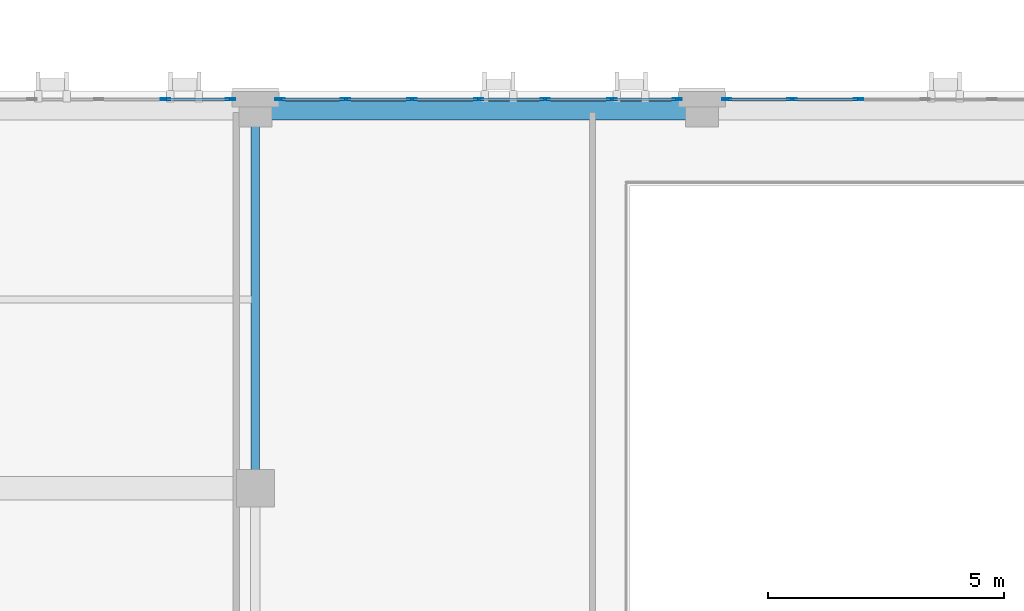
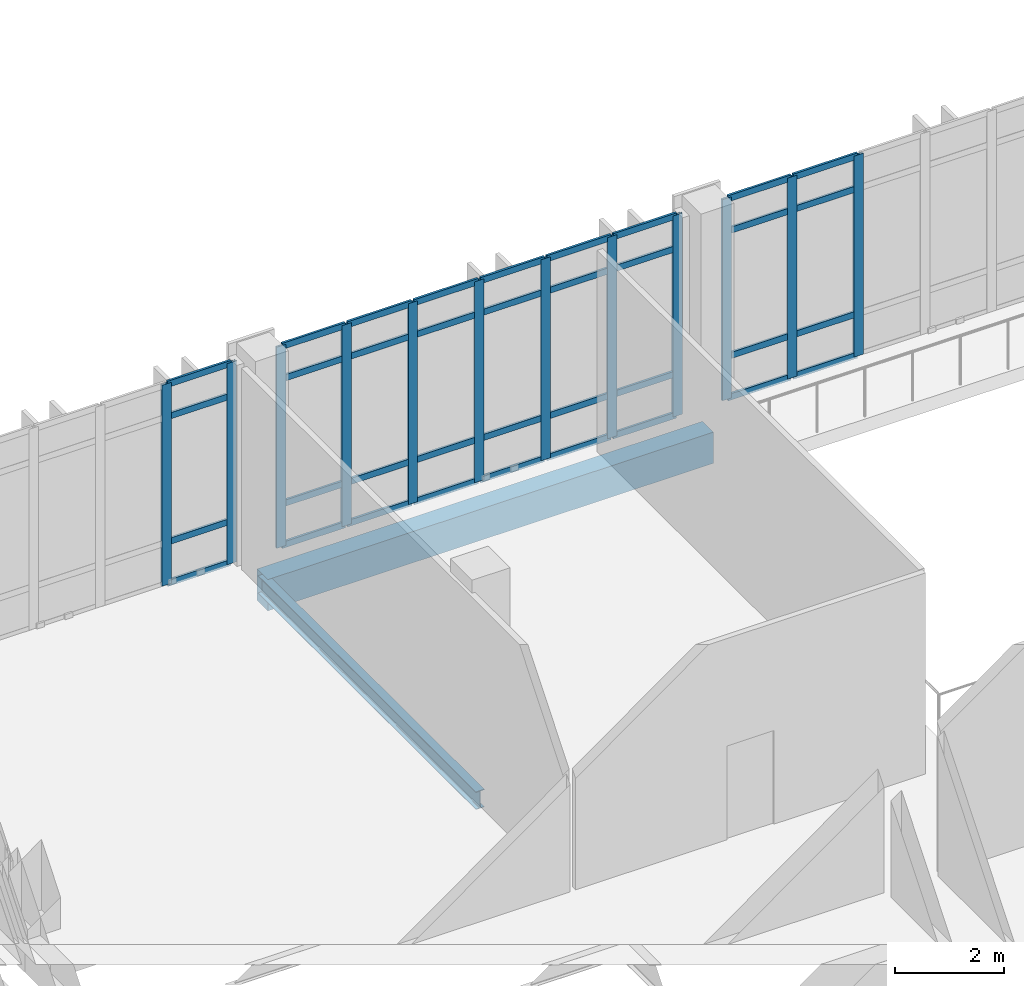
# One storey, part 14 of 189: 48 members, 2 beams, 3 elements without a shape of their own.
"""IFC4 building model written with IfcOpenShell, lengths in metres."""

from ifc_helpers import new_model, si_unit, direction, frame, origin, origin_2d, place, context, subcontext, project, spatial, rectangle, hollow_rectangle, i_section, extrude, material, layer, layer_set, material_profile, profile_set, type_object, element, aggregate, save


model = new_model("IFC4")

# Units and contexts
model_context = context("Model", 3, precision=1e-05, world=origin(), true_north=direction((0.0, 1.0)))
body_context = subcontext(model_context, "Body", "Model", "MODEL_VIEW")
ifc_project = project(units=[si_unit("LENGTHUNIT", "METRE"), si_unit("AREAUNIT", "SQUARE_METRE"), si_unit("VOLUMEUNIT", "CUBIC_METRE"), si_unit("PLANEANGLEUNIT", "RADIAN"), si_unit("MASSUNIT", "GRAM", prefix="KILO")], contexts=[model_context])

# Site, building, storey
site_placement = place(None, origin())
site = spatial("IfcSite", under=ifc_project, at=site_placement, CompositionType="ELEMENT")
building_placement = place(site_placement, origin())
building = spatial("IfcBuilding", under=site, at=building_placement, Name="Qalavern Law Courts", CompositionType="ELEMENT")
storey_placement = place(building_placement, frame((0.0, 0.0, 5.39990234375)))
storey = spatial("IfcBuildingStorey", under=building, at=storey_placement, Name="L01", CompositionType="ELEMENT", Elevation=5.39990234375)

# Curtain wall, members
ifc_material_1 = material(Name="Anodised aluminium and insulated glazing", Category="aluminium")
ifc_layer = layer(ifc_material_1, 0.18505859375)
ifc_layer_set = layer_set([ifc_layer], Name="Anodised aluminium and insulated glazing")
curtain_wall_type = type_object("IfcCurtainWallType", Name="ENV-CW-HALL", PredefinedType="USERDEFINED", material=ifc_layer_set)
curtain_wall_1_placement = place(storey_placement, origin())
curtain_wall_1 = element("IfcCurtainWall", 1, at=curtain_wall_1_placement, inside=storey, type_object=curtain_wall_type, Name="V2 unitised curtain wall L01 north 4", ObjectType="UNITISED CURTAIN WALL", PredefinedType="USERDEFINED")
ifc_material_2 = material(Name="Anodised aluminium", Category="aluminium")
ifc_material_profile_1 = material_profile(ifc_material_2, hollow_rectangle(XDim=0.048095703125, YDim=0.199951171875, WallThickness=0.00439453125, at=origin_2d()), Name="ALU MULLION 48x200")
ifc_profile_set_1 = profile_set([ifc_material_profile_1], Name="Anodised aluminium")
member_type_1 = type_object("IfcMemberType", Name="ENV-CWM-48x200", PredefinedType="MULLION", material=ifc_profile_set_1)
member_1_placement = place(storey_placement, frame((56.8466796875, 30.237548828125, 0.0), z_axis=(0.0, 0.0, 1.0), x_axis=(0.0, -1.0, 0.0)))
member_1 = element("IfcMember", 2, at=member_1_placement, type_object=member_type_1, Name="CW-02 mullion 5", PredefinedType="MULLION", context=body_context, shape_type="SweptSolid", body=[
    extrude(hollow_rectangle(XDim=0.048095703125, YDim=0.199951171875, WallThickness=0.00439453125, at=origin_2d()), origin(), (0.0, 0.0, 1.0), 4.510009765625),
])
member_2_placement = place(storey_placement, frame((55.437744140625, 30.237548828125, 0.0), z_axis=(0.0, 0.0, 1.0), x_axis=(0.0, -1.0, 0.0)))
member_2 = element("IfcMember", 3, at=member_2_placement, type_object=member_type_1, Name="CW-02 mullion 6", PredefinedType="MULLION", context=body_context, shape_type="SweptSolid", body=[
    extrude(hollow_rectangle(XDim=0.048095703125, YDim=0.199951171875, WallThickness=0.00439453125, at=origin_2d()), origin(), (0.0, 0.0, 1.0), 4.510009765625),
])
member_3_placement = place(storey_placement, frame((54.052490234375, 30.237548828125, 0.0), z_axis=(0.0, 0.0, 1.0), x_axis=(0.0, -1.0, 0.0)))
member_3 = element("IfcMember", 4, at=member_3_placement, type_object=member_type_1, Name="CW-02 mullion 7", PredefinedType="MULLION", context=body_context, shape_type="SweptSolid", body=[
    extrude(hollow_rectangle(XDim=0.048095703125, YDim=0.199951171875, WallThickness=0.00439453125, at=origin_2d()), origin(), (0.0, 0.0, 1.0), 4.510009765625),
])

curtain_wall_2_placement = place(storey_placement, origin())
curtain_wall_2 = element("IfcCurtainWall", 5, at=curtain_wall_2_placement, inside=storey, type_object=curtain_wall_type, Name="V2 unitised curtain wall L01 north 5", ObjectType="UNITISED CURTAIN WALL", PredefinedType="USERDEFINED")
member_4_placement = place(storey_placement, frame((53.004638671875, 30.237548828125, 0.0), z_axis=(0.0, 0.0, 1.0), x_axis=(0.0, -1.0, 0.0)))
member_4 = element("IfcMember", 6, at=member_4_placement, type_object=member_type_1, Name="CW-02 mullion 1", PredefinedType="MULLION", context=body_context, shape_type="SweptSolid", body=[
    extrude(hollow_rectangle(XDim=0.048095703125, YDim=0.199951171875, WallThickness=0.00439453125, at=origin_2d()), origin(), (0.0, 0.0, 1.0), 4.510009765625),
])
member_5_placement = place(storey_placement, frame((51.61962890625, 30.237548828125, 0.0), z_axis=(0.0, 0.0, 1.0), x_axis=(0.0, -1.0, 0.0)))
member_5 = element("IfcMember", 7, at=member_5_placement, type_object=member_type_1, Name="CW-02 mullion 2", PredefinedType="MULLION", context=body_context, shape_type="SweptSolid", body=[
    extrude(hollow_rectangle(XDim=0.048095703125, YDim=0.199951171875, WallThickness=0.00439453125, at=origin_2d()), origin(), (0.0, 0.0, 1.0), 4.510009765625),
])
member_6_placement = place(storey_placement, frame((50.21044921875, 30.237548828125, 0.0), z_axis=(0.0, 0.0, 1.0), x_axis=(0.0, -1.0, 0.0)))
member_6 = element("IfcMember", 8, at=member_6_placement, type_object=member_type_1, Name="CW-02 mullion 3", PredefinedType="MULLION", context=body_context, shape_type="SweptSolid", body=[
    extrude(hollow_rectangle(XDim=0.048095703125, YDim=0.199951171875, WallThickness=0.00439453125, at=origin_2d()), origin(), (0.0, 0.0, 1.0), 4.510009765625),
])
member_7_placement = place(storey_placement, frame((48.801513671875, 30.237548828125, 0.0), z_axis=(0.0, 0.0, 1.0), x_axis=(0.0, -1.0, 0.0)))
member_7 = element("IfcMember", 9, at=member_7_placement, type_object=member_type_1, Name="CW-02 mullion 4", PredefinedType="MULLION", context=body_context, shape_type="SweptSolid", body=[
    extrude(hollow_rectangle(XDim=0.048095703125, YDim=0.199951171875, WallThickness=0.00439453125, at=origin_2d()), origin(), (0.0, 0.0, 1.0), 4.510009765625),
])
member_8_placement = place(storey_placement, frame((47.392333984375, 30.237548828125, 0.0), z_axis=(0.0, 0.0, 1.0), x_axis=(0.0, -1.0, 0.0)))
member_8 = element("IfcMember", 10, at=member_8_placement, type_object=member_type_1, Name="CW-02 mullion 5", PredefinedType="MULLION", context=body_context, shape_type="SweptSolid", body=[
    extrude(hollow_rectangle(XDim=0.048095703125, YDim=0.199951171875, WallThickness=0.00439453125, at=origin_2d()), origin(), (0.0, 0.0, 1.0), 4.510009765625),
])
member_9_placement = place(storey_placement, frame((45.9833984375, 30.237548828125, 0.0), z_axis=(0.0, 0.0, 1.0), x_axis=(0.0, -1.0, 0.0)))
member_9 = element("IfcMember", 11, at=member_9_placement, type_object=member_type_1, Name="CW-02 mullion 6", PredefinedType="MULLION", context=body_context, shape_type="SweptSolid", body=[
    extrude(hollow_rectangle(XDim=0.048095703125, YDim=0.199951171875, WallThickness=0.00439453125, at=origin_2d()), origin(), (0.0, 0.0, 1.0), 4.510009765625),
])
member_10_placement = place(storey_placement, frame((44.598388671875, 30.237548828125, 0.0), z_axis=(0.0, 0.0, 1.0), x_axis=(0.0, -1.0, 0.0)))
member_10 = element("IfcMember", 12, at=member_10_placement, type_object=member_type_1, Name="CW-02 mullion 7", PredefinedType="MULLION", context=body_context, shape_type="SweptSolid", body=[
    extrude(hollow_rectangle(XDim=0.048095703125, YDim=0.199951171875, WallThickness=0.00439453125, at=origin_2d()), origin(), (0.0, 0.0, 1.0), 4.510009765625),
])

curtain_wall_3_placement = place(storey_placement, origin())
curtain_wall_3 = element("IfcCurtainWall", 13, at=curtain_wall_3_placement, inside=storey, type_object=curtain_wall_type, Name="V2 unitised curtain wall L01 north 6", ObjectType="UNITISED CURTAIN WALL", PredefinedType="USERDEFINED")
member_11_placement = place(storey_placement, frame((43.55029296875, 30.237548828125, 0.0), z_axis=(0.0, 0.0, 1.0), x_axis=(0.0, -1.0, 0.0)))
member_11 = element("IfcMember", 14, at=member_11_placement, type_object=member_type_1, Name="CW-02 mullion 1", PredefinedType="MULLION", context=body_context, shape_type="SweptSolid", body=[
    extrude(hollow_rectangle(XDim=0.048095703125, YDim=0.199951171875, WallThickness=0.00439453125, at=origin_2d()), origin(), (0.0, 0.0, 1.0), 4.510009765625),
])
member_12_placement = place(storey_placement, frame((42.165283203125, 30.237548828125, 0.0), z_axis=(0.0, 0.0, 1.0), x_axis=(0.0, -1.0, 0.0)))
member_12 = element("IfcMember", 15, at=member_12_placement, type_object=member_type_1, Name="CW-02 mullion 2", PredefinedType="MULLION", context=body_context, shape_type="SweptSolid", body=[
    extrude(hollow_rectangle(XDim=0.048095703125, YDim=0.199951171875, WallThickness=0.00439453125, at=origin_2d()), origin(), (0.0, 0.0, 1.0), 4.510009765625),
])

# Member
ifc_material_profile_2 = material_profile(ifc_material_2, hollow_rectangle(XDim=0.048095703125, YDim=0.139892578125, WallThickness=0.00390625, at=origin_2d()), Name="ALU TRANSOM 48x140")
ifc_profile_set_2 = profile_set([ifc_material_profile_2], Name="Anodised aluminium")
member_type_2 = type_object("IfcMemberType", Name="ENV-CWT-48x140", PredefinedType="USERDEFINED", material=ifc_profile_set_2)
member_13_placement = place(storey_placement, frame((56.82275390625, 30.237548828125, 0.024169921875), z_axis=(-1.0, 0.0, 0.0), x_axis=(0.0, -1.0, 0.0)))
member_13 = element("IfcMember", 16, at=member_13_placement, type_object=member_type_2, Name="CW-02 transom 5.1", ObjectType="TRANSOM", PredefinedType="USERDEFINED", context=body_context, shape_type="SweptSolid", body=[
    extrude(hollow_rectangle(XDim=0.048095703125, YDim=0.139892578125, WallThickness=0.00390625, at=origin_2d()), origin(), (0.0, 0.0, 1.0), 1.361083984375),
])

member_14_placement = place(storey_placement, frame((56.82275390625, 30.237548828125, 0.9501953125), z_axis=(-1.0, 0.0, 0.0), x_axis=(0.0, -1.0, 0.0)))
member_14 = element("IfcMember", 17, at=member_14_placement, type_object=member_type_2, Name="CW-02 transom 5.2", ObjectType="TRANSOM", PredefinedType="USERDEFINED", context=body_context, shape_type="SweptSolid", body=[
    extrude(hollow_rectangle(XDim=0.048095703125, YDim=0.139892578125, WallThickness=0.00390625, at=origin_2d()), origin(), (0.0, 0.0, 1.0), 1.361083984375),
])

member_15_placement = place(storey_placement, frame((56.82275390625, 30.237548828125, 3.760009765625), z_axis=(-1.0, 0.0, 0.0), x_axis=(0.0, -1.0, 0.0)))
member_15 = element("IfcMember", 18, at=member_15_placement, type_object=member_type_2, Name="CW-02 transom 5.3", ObjectType="TRANSOM", PredefinedType="USERDEFINED", context=body_context, shape_type="SweptSolid", body=[
    extrude(hollow_rectangle(XDim=0.048095703125, YDim=0.139892578125, WallThickness=0.00390625, at=origin_2d()), origin(), (0.0, 0.0, 1.0), 1.361083984375),
])

member_16_placement = place(storey_placement, frame((56.82275390625, 30.237548828125, 4.486083984375), z_axis=(-1.0, 0.0, 0.0), x_axis=(0.0, -1.0, 0.0)))
member_16 = element("IfcMember", 19, at=member_16_placement, type_object=member_type_2, Name="CW-02 transom 5.4", ObjectType="TRANSOM", PredefinedType="USERDEFINED", context=body_context, shape_type="SweptSolid", body=[
    extrude(hollow_rectangle(XDim=0.048095703125, YDim=0.139892578125, WallThickness=0.00390625, at=origin_2d()), origin(), (0.0, 0.0, 1.0), 1.361083984375),
])

member_17_placement = place(storey_placement, frame((55.41357421875, 30.237548828125, 0.024169921875), z_axis=(-1.0, 0.0, 0.0), x_axis=(0.0, -1.0, 0.0)))
member_17 = element("IfcMember", 20, at=member_17_placement, type_object=member_type_2, Name="CW-02 transom 6.1", ObjectType="TRANSOM", PredefinedType="USERDEFINED", context=body_context, shape_type="SweptSolid", body=[
    extrude(hollow_rectangle(XDim=0.048095703125, YDim=0.139892578125, WallThickness=0.00390625, at=origin_2d()), origin(), (0.0, 0.0, 1.0), 1.3369140625),
])

member_18_placement = place(storey_placement, frame((55.41357421875, 30.237548828125, 0.9501953125), z_axis=(-1.0, 0.0, 0.0), x_axis=(0.0, -1.0, 0.0)))
member_18 = element("IfcMember", 21, at=member_18_placement, type_object=member_type_2, Name="CW-02 transom 6.2", ObjectType="TRANSOM", PredefinedType="USERDEFINED", context=body_context, shape_type="SweptSolid", body=[
    extrude(hollow_rectangle(XDim=0.048095703125, YDim=0.139892578125, WallThickness=0.00390625, at=origin_2d()), origin(), (0.0, 0.0, 1.0), 1.3369140625),
])

member_19_placement = place(storey_placement, frame((55.41357421875, 30.237548828125, 3.760009765625), z_axis=(-1.0, 0.0, 0.0), x_axis=(0.0, -1.0, 0.0)))
member_19 = element("IfcMember", 22, at=member_19_placement, type_object=member_type_2, Name="CW-02 transom 6.3", ObjectType="TRANSOM", PredefinedType="USERDEFINED", context=body_context, shape_type="SweptSolid", body=[
    extrude(hollow_rectangle(XDim=0.048095703125, YDim=0.139892578125, WallThickness=0.00390625, at=origin_2d()), origin(), (0.0, 0.0, 1.0), 1.3369140625),
])

member_20_placement = place(storey_placement, frame((55.41357421875, 30.237548828125, 4.486083984375), z_axis=(-1.0, 0.0, 0.0), x_axis=(0.0, -1.0, 0.0)))
member_20 = element("IfcMember", 23, at=member_20_placement, type_object=member_type_2, Name="CW-02 transom 6.4", ObjectType="TRANSOM", PredefinedType="USERDEFINED", context=body_context, shape_type="SweptSolid", body=[
    extrude(hollow_rectangle(XDim=0.048095703125, YDim=0.139892578125, WallThickness=0.00390625, at=origin_2d()), origin(), (0.0, 0.0, 1.0), 1.3369140625),
])

aggregate(curtain_wall_1, [member_1, member_2, member_3, member_13, member_14, member_15, member_16, member_17, member_18, member_19, member_20])

member_21_placement = place(storey_placement, frame((52.980712890625, 30.237548828125, 0.024169921875), z_axis=(-1.0, 0.0, 0.0), x_axis=(0.0, -1.0, 0.0)))
member_21 = element("IfcMember", 24, at=member_21_placement, type_object=member_type_2, Name="CW-02 transom 1.1", ObjectType="TRANSOM", PredefinedType="USERDEFINED", context=body_context, shape_type="SweptSolid", body=[
    extrude(hollow_rectangle(XDim=0.048095703125, YDim=0.139892578125, WallThickness=0.00390625, at=origin_2d()), origin(), (0.0, 0.0, 1.0), 1.337158203125),
])

member_22_placement = place(storey_placement, frame((52.980712890625, 30.237548828125, 0.9501953125), z_axis=(-1.0, 0.0, 0.0), x_axis=(0.0, -1.0, 0.0)))
member_22 = element("IfcMember", 25, at=member_22_placement, type_object=member_type_2, Name="CW-02 transom 1.2", ObjectType="TRANSOM", PredefinedType="USERDEFINED", context=body_context, shape_type="SweptSolid", body=[
    extrude(hollow_rectangle(XDim=0.048095703125, YDim=0.139892578125, WallThickness=0.00390625, at=origin_2d()), origin(), (0.0, 0.0, 1.0), 1.337158203125),
])

member_23_placement = place(storey_placement, frame((52.980712890625, 30.237548828125, 3.760009765625), z_axis=(-1.0, 0.0, 0.0), x_axis=(0.0, -1.0, 0.0)))
member_23 = element("IfcMember", 26, at=member_23_placement, type_object=member_type_2, Name="CW-02 transom 1.3", ObjectType="TRANSOM", PredefinedType="USERDEFINED", context=body_context, shape_type="SweptSolid", body=[
    extrude(hollow_rectangle(XDim=0.048095703125, YDim=0.139892578125, WallThickness=0.00390625, at=origin_2d()), origin(), (0.0, 0.0, 1.0), 1.337158203125),
])

member_24_placement = place(storey_placement, frame((52.980712890625, 30.237548828125, 4.486083984375), z_axis=(-1.0, 0.0, 0.0), x_axis=(0.0, -1.0, 0.0)))
member_24 = element("IfcMember", 27, at=member_24_placement, type_object=member_type_2, Name="CW-02 transom 1.4", ObjectType="TRANSOM", PredefinedType="USERDEFINED", context=body_context, shape_type="SweptSolid", body=[
    extrude(hollow_rectangle(XDim=0.048095703125, YDim=0.139892578125, WallThickness=0.00390625, at=origin_2d()), origin(), (0.0, 0.0, 1.0), 1.337158203125),
])

member_25_placement = place(storey_placement, frame((51.595458984375, 30.237548828125, 0.024169921875), z_axis=(-1.0, 0.0, 0.0), x_axis=(0.0, -1.0, 0.0)))
member_25 = element("IfcMember", 28, at=member_25_placement, type_object=member_type_2, Name="CW-02 transom 2.1", ObjectType="TRANSOM", PredefinedType="USERDEFINED", context=body_context, shape_type="SweptSolid", body=[
    extrude(hollow_rectangle(XDim=0.048095703125, YDim=0.139892578125, WallThickness=0.00390625, at=origin_2d()), origin(), (0.0, 0.0, 1.0), 1.36083984375),
])

member_26_placement = place(storey_placement, frame((51.595458984375, 30.237548828125, 0.9501953125), z_axis=(-1.0, 0.0, 0.0), x_axis=(0.0, -1.0, 0.0)))
member_26 = element("IfcMember", 29, at=member_26_placement, type_object=member_type_2, Name="CW-02 transom 2.2", ObjectType="TRANSOM", PredefinedType="USERDEFINED", context=body_context, shape_type="SweptSolid", body=[
    extrude(hollow_rectangle(XDim=0.048095703125, YDim=0.139892578125, WallThickness=0.00390625, at=origin_2d()), origin(), (0.0, 0.0, 1.0), 1.36083984375),
])

member_27_placement = place(storey_placement, frame((51.595458984375, 30.237548828125, 3.760009765625), z_axis=(-1.0, 0.0, 0.0), x_axis=(0.0, -1.0, 0.0)))
member_27 = element("IfcMember", 30, at=member_27_placement, type_object=member_type_2, Name="CW-02 transom 2.3", ObjectType="TRANSOM", PredefinedType="USERDEFINED", context=body_context, shape_type="SweptSolid", body=[
    extrude(hollow_rectangle(XDim=0.048095703125, YDim=0.139892578125, WallThickness=0.00390625, at=origin_2d()), origin(), (0.0, 0.0, 1.0), 1.36083984375),
])

member_28_placement = place(storey_placement, frame((51.595458984375, 30.237548828125, 4.486083984375), z_axis=(-1.0, 0.0, 0.0), x_axis=(0.0, -1.0, 0.0)))
member_28 = element("IfcMember", 31, at=member_28_placement, type_object=member_type_2, Name="CW-02 transom 2.4", ObjectType="TRANSOM", PredefinedType="USERDEFINED", context=body_context, shape_type="SweptSolid", body=[
    extrude(hollow_rectangle(XDim=0.048095703125, YDim=0.139892578125, WallThickness=0.00390625, at=origin_2d()), origin(), (0.0, 0.0, 1.0), 1.36083984375),
])

member_29_placement = place(storey_placement, frame((50.1865234375, 30.237548828125, 0.024169921875), z_axis=(-1.0, 0.0, 0.0), x_axis=(0.0, -1.0, 0.0)))
member_29 = element("IfcMember", 32, at=member_29_placement, type_object=member_type_2, Name="CW-02 transom 3.1", ObjectType="TRANSOM", PredefinedType="USERDEFINED", context=body_context, shape_type="SweptSolid", body=[
    extrude(hollow_rectangle(XDim=0.048095703125, YDim=0.139892578125, WallThickness=0.00390625, at=origin_2d()), origin(), (0.0, 0.0, 1.0), 1.361083984375),
])

member_30_placement = place(storey_placement, frame((50.1865234375, 30.237548828125, 0.9501953125), z_axis=(-1.0, 0.0, 0.0), x_axis=(0.0, -1.0, 0.0)))
member_30 = element("IfcMember", 33, at=member_30_placement, type_object=member_type_2, Name="CW-02 transom 3.2", ObjectType="TRANSOM", PredefinedType="USERDEFINED", context=body_context, shape_type="SweptSolid", body=[
    extrude(hollow_rectangle(XDim=0.048095703125, YDim=0.139892578125, WallThickness=0.00390625, at=origin_2d()), origin(), (0.0, 0.0, 1.0), 1.361083984375),
])

member_31_placement = place(storey_placement, frame((50.1865234375, 30.237548828125, 3.760009765625), z_axis=(-1.0, 0.0, 0.0), x_axis=(0.0, -1.0, 0.0)))
member_31 = element("IfcMember", 34, at=member_31_placement, type_object=member_type_2, Name="CW-02 transom 3.3", ObjectType="TRANSOM", PredefinedType="USERDEFINED", context=body_context, shape_type="SweptSolid", body=[
    extrude(hollow_rectangle(XDim=0.048095703125, YDim=0.139892578125, WallThickness=0.00390625, at=origin_2d()), origin(), (0.0, 0.0, 1.0), 1.361083984375),
])

member_32_placement = place(storey_placement, frame((50.1865234375, 30.237548828125, 4.486083984375), z_axis=(-1.0, 0.0, 0.0), x_axis=(0.0, -1.0, 0.0)))
member_32 = element("IfcMember", 35, at=member_32_placement, type_object=member_type_2, Name="CW-02 transom 3.4", ObjectType="TRANSOM", PredefinedType="USERDEFINED", context=body_context, shape_type="SweptSolid", body=[
    extrude(hollow_rectangle(XDim=0.048095703125, YDim=0.139892578125, WallThickness=0.00390625, at=origin_2d()), origin(), (0.0, 0.0, 1.0), 1.361083984375),
])

member_33_placement = place(storey_placement, frame((48.77734375, 30.237548828125, 0.024169921875), z_axis=(-1.0, 0.0, 0.0), x_axis=(0.0, -1.0, 0.0)))
member_33 = element("IfcMember", 36, at=member_33_placement, type_object=member_type_2, Name="CW-02 transom 4.1", ObjectType="TRANSOM", PredefinedType="USERDEFINED", context=body_context, shape_type="SweptSolid", body=[
    extrude(hollow_rectangle(XDim=0.048095703125, YDim=0.139892578125, WallThickness=0.00390625, at=origin_2d()), origin(), (0.0, 0.0, 1.0), 1.36083984375),
])

member_34_placement = place(storey_placement, frame((48.77734375, 30.237548828125, 0.9501953125), z_axis=(-1.0, 0.0, 0.0), x_axis=(0.0, -1.0, 0.0)))
member_34 = element("IfcMember", 37, at=member_34_placement, type_object=member_type_2, Name="CW-02 transom 4.2", ObjectType="TRANSOM", PredefinedType="USERDEFINED", context=body_context, shape_type="SweptSolid", body=[
    extrude(hollow_rectangle(XDim=0.048095703125, YDim=0.139892578125, WallThickness=0.00390625, at=origin_2d()), origin(), (0.0, 0.0, 1.0), 1.36083984375),
])

member_35_placement = place(storey_placement, frame((48.77734375, 30.237548828125, 3.760009765625), z_axis=(-1.0, 0.0, 0.0), x_axis=(0.0, -1.0, 0.0)))
member_35 = element("IfcMember", 38, at=member_35_placement, type_object=member_type_2, Name="CW-02 transom 4.3", ObjectType="TRANSOM", PredefinedType="USERDEFINED", context=body_context, shape_type="SweptSolid", body=[
    extrude(hollow_rectangle(XDim=0.048095703125, YDim=0.139892578125, WallThickness=0.00390625, at=origin_2d()), origin(), (0.0, 0.0, 1.0), 1.36083984375),
])

member_36_placement = place(storey_placement, frame((48.77734375, 30.237548828125, 4.486083984375), z_axis=(-1.0, 0.0, 0.0), x_axis=(0.0, -1.0, 0.0)))
member_36 = element("IfcMember", 39, at=member_36_placement, type_object=member_type_2, Name="CW-02 transom 4.4", ObjectType="TRANSOM", PredefinedType="USERDEFINED", context=body_context, shape_type="SweptSolid", body=[
    extrude(hollow_rectangle(XDim=0.048095703125, YDim=0.139892578125, WallThickness=0.00390625, at=origin_2d()), origin(), (0.0, 0.0, 1.0), 1.36083984375),
])

member_37_placement = place(storey_placement, frame((47.368408203125, 30.237548828125, 0.024169921875), z_axis=(-1.0, 0.0, 0.0), x_axis=(0.0, -1.0, 0.0)))
member_37 = element("IfcMember", 40, at=member_37_placement, type_object=member_type_2, Name="CW-02 transom 5.1", ObjectType="TRANSOM", PredefinedType="USERDEFINED", context=body_context, shape_type="SweptSolid", body=[
    extrude(hollow_rectangle(XDim=0.048095703125, YDim=0.139892578125, WallThickness=0.00390625, at=origin_2d()), origin(), (0.0, 0.0, 1.0), 1.361083984375),
])

member_38_placement = place(storey_placement, frame((47.368408203125, 30.237548828125, 0.9501953125), z_axis=(-1.0, 0.0, 0.0), x_axis=(0.0, -1.0, 0.0)))
member_38 = element("IfcMember", 41, at=member_38_placement, type_object=member_type_2, Name="CW-02 transom 5.2", ObjectType="TRANSOM", PredefinedType="USERDEFINED", context=body_context, shape_type="SweptSolid", body=[
    extrude(hollow_rectangle(XDim=0.048095703125, YDim=0.139892578125, WallThickness=0.00390625, at=origin_2d()), origin(), (0.0, 0.0, 1.0), 1.361083984375),
])

member_39_placement = place(storey_placement, frame((47.368408203125, 30.237548828125, 3.760009765625), z_axis=(-1.0, 0.0, 0.0), x_axis=(0.0, -1.0, 0.0)))
member_39 = element("IfcMember", 42, at=member_39_placement, type_object=member_type_2, Name="CW-02 transom 5.3", ObjectType="TRANSOM", PredefinedType="USERDEFINED", context=body_context, shape_type="SweptSolid", body=[
    extrude(hollow_rectangle(XDim=0.048095703125, YDim=0.139892578125, WallThickness=0.00390625, at=origin_2d()), origin(), (0.0, 0.0, 1.0), 1.361083984375),
])

member_40_placement = place(storey_placement, frame((47.368408203125, 30.237548828125, 4.486083984375), z_axis=(-1.0, 0.0, 0.0), x_axis=(0.0, -1.0, 0.0)))
member_40 = element("IfcMember", 43, at=member_40_placement, type_object=member_type_2, Name="CW-02 transom 5.4", ObjectType="TRANSOM", PredefinedType="USERDEFINED", context=body_context, shape_type="SweptSolid", body=[
    extrude(hollow_rectangle(XDim=0.048095703125, YDim=0.139892578125, WallThickness=0.00390625, at=origin_2d()), origin(), (0.0, 0.0, 1.0), 1.361083984375),
])

member_41_placement = place(storey_placement, frame((45.959228515625, 30.237548828125, 0.024169921875), z_axis=(-1.0, 0.0, 0.0), x_axis=(0.0, -1.0, 0.0)))
member_41 = element("IfcMember", 44, at=member_41_placement, type_object=member_type_2, Name="CW-02 transom 6.1", ObjectType="TRANSOM", PredefinedType="USERDEFINED", context=body_context, shape_type="SweptSolid", body=[
    extrude(hollow_rectangle(XDim=0.048095703125, YDim=0.139892578125, WallThickness=0.00390625, at=origin_2d()), origin(), (0.0, 0.0, 1.0), 1.3369140625),
])

member_42_placement = place(storey_placement, frame((45.959228515625, 30.237548828125, 0.9501953125), z_axis=(-1.0, 0.0, 0.0), x_axis=(0.0, -1.0, 0.0)))
member_42 = element("IfcMember", 45, at=member_42_placement, type_object=member_type_2, Name="CW-02 transom 6.2", ObjectType="TRANSOM", PredefinedType="USERDEFINED", context=body_context, shape_type="SweptSolid", body=[
    extrude(hollow_rectangle(XDim=0.048095703125, YDim=0.139892578125, WallThickness=0.00390625, at=origin_2d()), origin(), (0.0, 0.0, 1.0), 1.3369140625),
])

member_43_placement = place(storey_placement, frame((45.959228515625, 30.237548828125, 3.760009765625), z_axis=(-1.0, 0.0, 0.0), x_axis=(0.0, -1.0, 0.0)))
member_43 = element("IfcMember", 46, at=member_43_placement, type_object=member_type_2, Name="CW-02 transom 6.3", ObjectType="TRANSOM", PredefinedType="USERDEFINED", context=body_context, shape_type="SweptSolid", body=[
    extrude(hollow_rectangle(XDim=0.048095703125, YDim=0.139892578125, WallThickness=0.00390625, at=origin_2d()), origin(), (0.0, 0.0, 1.0), 1.3369140625),
])

member_44_placement = place(storey_placement, frame((45.959228515625, 30.237548828125, 4.486083984375), z_axis=(-1.0, 0.0, 0.0), x_axis=(0.0, -1.0, 0.0)))
member_44 = element("IfcMember", 47, at=member_44_placement, type_object=member_type_2, Name="CW-02 transom 6.4", ObjectType="TRANSOM", PredefinedType="USERDEFINED", context=body_context, shape_type="SweptSolid", body=[
    extrude(hollow_rectangle(XDim=0.048095703125, YDim=0.139892578125, WallThickness=0.00390625, at=origin_2d()), origin(), (0.0, 0.0, 1.0), 1.3369140625),
])

aggregate(curtain_wall_2, [member_4, member_5, member_6, member_7, member_8, member_9, member_10, member_21, member_22, member_23, member_24, member_25, member_26, member_27, member_28, member_29, member_30, member_31, member_32, member_33, member_34, member_35, member_36, member_37, member_38, member_39, member_40, member_41, member_42, member_43, member_44])

member_45_placement = place(storey_placement, frame((43.5263671875, 30.237548828125, 0.024169921875), z_axis=(-1.0, 0.0, 0.0), x_axis=(0.0, -1.0, 0.0)))
member_45 = element("IfcMember", 48, at=member_45_placement, type_object=member_type_2, Name="CW-02 transom 1.1", ObjectType="TRANSOM", PredefinedType="USERDEFINED", context=body_context, shape_type="SweptSolid", body=[
    extrude(hollow_rectangle(XDim=0.048095703125, YDim=0.139892578125, WallThickness=0.00390625, at=origin_2d()), origin(), (0.0, 0.0, 1.0), 1.337158203125),
])

member_46_placement = place(storey_placement, frame((43.5263671875, 30.237548828125, 0.9501953125), z_axis=(-1.0, 0.0, 0.0), x_axis=(0.0, -1.0, 0.0)))
member_46 = element("IfcMember", 49, at=member_46_placement, type_object=member_type_2, Name="CW-02 transom 1.2", ObjectType="TRANSOM", PredefinedType="USERDEFINED", context=body_context, shape_type="SweptSolid", body=[
    extrude(hollow_rectangle(XDim=0.048095703125, YDim=0.139892578125, WallThickness=0.00390625, at=origin_2d()), origin(), (0.0, 0.0, 1.0), 1.337158203125),
])

member_47_placement = place(storey_placement, frame((43.5263671875, 30.237548828125, 3.760009765625), z_axis=(-1.0, 0.0, 0.0), x_axis=(0.0, -1.0, 0.0)))
member_47 = element("IfcMember", 50, at=member_47_placement, type_object=member_type_2, Name="CW-02 transom 1.3", ObjectType="TRANSOM", PredefinedType="USERDEFINED", context=body_context, shape_type="SweptSolid", body=[
    extrude(hollow_rectangle(XDim=0.048095703125, YDim=0.139892578125, WallThickness=0.00390625, at=origin_2d()), origin(), (0.0, 0.0, 1.0), 1.337158203125),
])

member_48_placement = place(storey_placement, frame((43.5263671875, 30.237548828125, 4.486083984375), z_axis=(-1.0, 0.0, 0.0), x_axis=(0.0, -1.0, 0.0)))
member_48 = element("IfcMember", 51, at=member_48_placement, type_object=member_type_2, Name="CW-02 transom 1.4", ObjectType="TRANSOM", PredefinedType="USERDEFINED", context=body_context, shape_type="SweptSolid", body=[
    extrude(hollow_rectangle(XDim=0.048095703125, YDim=0.139892578125, WallThickness=0.00390625, at=origin_2d()), origin(), (0.0, 0.0, 1.0), 1.337158203125),
])

aggregate(curtain_wall_3, [member_11, member_12, member_45, member_46, member_47, member_48])

# Beams
ifc_material_3 = material(Name="Steel S355", Category="steel")
ifc_material_profile_3 = material_profile(ifc_material_3, i_section(OverallWidth=0.179931640625, OverallDepth=0.39990234375, WebThickness=0.008544921875, FlangeThickness=0.013427734375, FilletRadius=0.02099609375, at=origin_2d()), Name="IPE 400")
ifc_profile_set_3 = profile_set([ifc_material_profile_3], Name="Steel S355")
beam_type_1 = type_object("IfcBeamType", Name="STR-BM-IPE400", PredefinedType="BEAM", material=ifc_profile_set_3)
beam_1_placement = place(storey_placement, frame((44.07421875, 22.0, -0.5), z_axis=(0.0, 1.0, 0.0), x_axis=(-1.0, 0.0, 0.0)))
element("IfcBeam", 52, at=beam_1_placement, inside=storey, type_object=beam_type_1, Name="V2 Y-beam 2-3 L01", PredefinedType="BEAM", context=body_context, shape_type="SweptSolid", body=[
    extrude(i_section(OverallWidth=0.179931640625, OverallDepth=0.39990234375, WebThickness=0.008544921875, FlangeThickness=0.013427734375, FilletRadius=0.02099609375, at=origin_2d()), origin(), (0.0, 0.0, 1.0), 8.0),
])
ifc_material_4 = material(Name="Concrete C40/50", Category="concrete")
ifc_material_profile_4 = material_profile(ifc_material_4, rectangle(XDim=0.39990234375, YDim=0.699951171875, at=origin_2d()), Name="RC 400x700")
ifc_profile_set_4 = profile_set([ifc_material_profile_4], Name="Concrete C40/50")
beam_type_2 = type_object("IfcBeamType", Name="STR-SP-RC400x700", PredefinedType="SPANDREL", material=ifc_profile_set_4)
beam_2_placement = place(storey_placement, frame((44.07421875, 30.0, -0.64990234375), z_axis=(1.0, 0.0, 0.0), x_axis=(0.0, 1.0, 0.0)))
element("IfcBeam", 53, at=beam_2_placement, inside=storey, type_object=beam_type_2, Name="V2 X-beam 4-2 L01", PredefinedType="SPANDREL", context=body_context, shape_type="SweptSolid", body=[
    extrude(rectangle(XDim=0.39990234375, YDim=0.699951171875, at=origin_2d()), origin(), (0.0, 0.0, 1.0), 9.454345703125),
])

save(model, "model.ifc")
